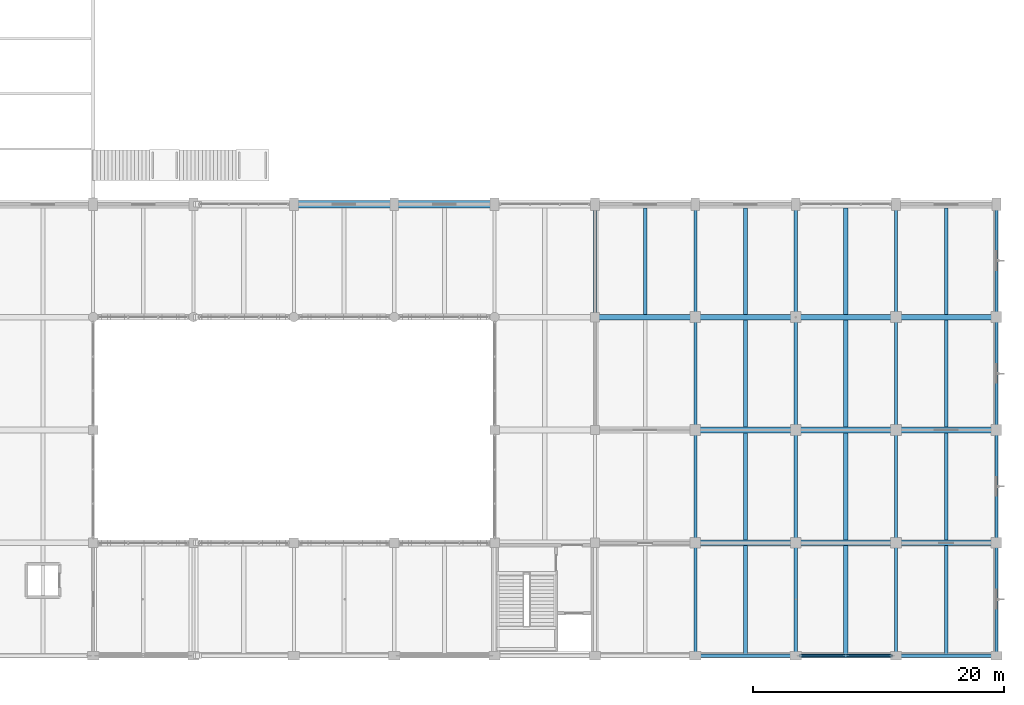
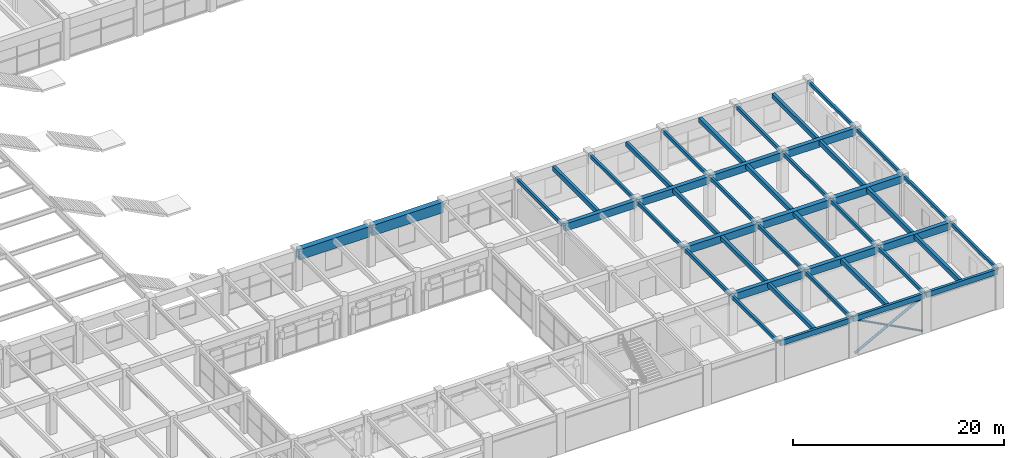
# One storey, part 82 of 144: 45 beams, 3 members.
"""IFC4 building model written with IfcOpenShell, lengths in metres."""

from ifc_helpers import new_model, si_unit, direction, frame, origin, origin_2d, place, context, subcontext, project, spatial, rectangle, hollow_circle, extrude, material, material_profile, profile_set, type_object, element, save


model = new_model("IFC4")

# Units and contexts
model_context = context("Model", 3, precision=1e-05, world=origin(), true_north=direction((0.0, 1.0)))
body_context = subcontext(model_context, "Body", "Model", "MODEL_VIEW")
ifc_project = project(units=[si_unit("LENGTHUNIT", "METRE"), si_unit("AREAUNIT", "SQUARE_METRE"), si_unit("VOLUMEUNIT", "CUBIC_METRE"), si_unit("PLANEANGLEUNIT", "RADIAN"), si_unit("MASSUNIT", "GRAM", prefix="KILO")], contexts=[model_context])

# Site, building, storey
site_placement = place(None, origin())
site = spatial("IfcSite", under=ifc_project, at=site_placement, CompositionType="ELEMENT")
building_placement = place(site_placement, origin())
building = spatial("IfcBuilding", under=site, at=building_placement, Name="Varnabhumi Central Station", CompositionType="ELEMENT")
storey_placement = place(building_placement, frame((0.0, 0.0, 4.800048828125)))
storey = spatial("IfcBuildingStorey", under=building, at=storey_placement, Name="L01", CompositionType="ELEMENT", Elevation=4.800048828125)

# Beams
ifc_material_1 = material(Name="Concrete M50", Category="concrete")
ifc_material_profile_1 = material_profile(ifc_material_1, rectangle(XDim=0.60009765625, YDim=1.199951171875, at=origin_2d()), Name="Concrete M50", Category="concrete")
ifc_profile_set_1 = profile_set([ifc_material_profile_1], Name="Concrete M50")
beam_type_1 = type_object("IfcBeamType", Name="BM-RC-1200x600", PredefinedType="BEAM", material=ifc_profile_set_1)
for number, where, z_axis, x_axis, name in (
    (1, (128.10009765625, 36.0, 3.949951171875), (1.0, 0.0, 0.0), (0.0, 1.0, 0.0), "Beam L01-E:17-18"),
    (2, (136.10009765625, 36.0, 3.949951171875), (1.0, 0.0, 0.0), (0.0, 1.0, 0.0), "Beam L01-E:18-19"),
):
    element("IfcBeam", number, at=place(storey_placement, frame(where, z_axis=z_axis, x_axis=x_axis)), inside=storey, type_object=beam_type_1, Name=name, PredefinedType="BEAM", context=body_context, shape_type="SweptSolid", body=[
        extrude(rectangle(XDim=0.60009765625, YDim=1.199951171875, at=origin_2d()), origin(), (0.0, 0.0, 1.0), 7.7998046875),
    ])
ifc_material_2 = material(Name="Concrete M35", Category="concrete")
ifc_material_profile_2 = material_profile(ifc_material_2, rectangle(XDim=0.25, YDim=0.39990234375, at=origin_2d()), Name="Concrete M35", Category="concrete")
ifc_profile_set_2 = profile_set([ifc_material_profile_2], Name="Concrete M35")
beam_type_2 = type_object("IfcBeamType", Name="BM-RC-250x400", PredefinedType="LINTEL", material=ifc_profile_set_2)
for number, where, z_axis, x_axis, name in (
    (3, (160.0, 0.10009765625, 4.349853515625), (0.0, 1.0, 0.0), (-1.0, 0.0, 0.0), "Beam L01-21:A-B"),
    (4, (168.0, 0.10009765625, 4.349853515625), (0.0, 1.0, 0.0), (-1.0, 0.0, 0.0), "Beam L01-22:A-B"),
    (5, (176.0, 0.10009765625, 4.349853515625), (0.0, 1.0, 0.0), (-1.0, 0.0, 0.0), "Beam L01-23:A-B"),
    (6, (184.0, 0.10009765625, 4.349853515625), (0.0, 1.0, 0.0), (-1.0, 0.0, 0.0), "Beam L01-24:A-B"),
    (7, (160.0, 9.10009765625, 4.349853515625), (0.0, 1.0, 0.0), (-1.0, 0.0, 0.0), "Beam L01-21:B-C"),
    (8, (168.0, 9.10009765625, 4.349853515625), (0.0, 1.0, 0.0), (-1.0, 0.0, 0.0), "Beam L01-22:B-C"),
    (9, (176.0, 9.10009765625, 4.349853515625), (0.0, 1.0, 0.0), (-1.0, 0.0, 0.0), "Beam L01-23:B-C"),
    (10, (184.0, 9.10009765625, 4.349853515625), (0.0, 1.0, 0.0), (-1.0, 0.0, 0.0), "Beam L01-24:B-C"),
    (11, (160.0, 18.10009765625, 4.349853515625), (0.0, 1.0, 0.0), (-1.0, 0.0, 0.0), "Beam L01-21:C-D"),
    (12, (168.0, 18.10009765625, 4.349853515625), (0.0, 1.0, 0.0), (-1.0, 0.0, 0.0), "Beam L01-22:C-D"),
    (13, (176.0, 18.10009765625, 4.349853515625), (0.0, 1.0, 0.0), (-1.0, 0.0, 0.0), "Beam L01-23:C-D"),
    (14, (184.0, 18.10009765625, 4.349853515625), (0.0, 1.0, 0.0), (-1.0, 0.0, 0.0), "Beam L01-24:C-D"),
    (15, (152.0, 27.10009765625, 4.349853515625), (0.0, 1.0, 0.0), (-1.0, 0.0, 0.0), "Beam L01-20:D-E"),
    (16, (160.0, 27.10009765625, 4.349853515625), (0.0, 1.0, 0.0), (-1.0, 0.0, 0.0), "Beam L01-21:D-E"),
    (17, (168.0, 27.10009765625, 4.349853515625), (0.0, 1.0, 0.0), (-1.0, 0.0, 0.0), "Beam L01-22:D-E"),
    (18, (176.0, 27.10009765625, 4.349853515625), (0.0, 1.0, 0.0), (-1.0, 0.0, 0.0), "Beam L01-23:D-E"),
    (19, (184.0, 27.10009765625, 4.349853515625), (0.0, 1.0, 0.0), (-1.0, 0.0, 0.0), "Beam L01-24:D-E"),
):
    element("IfcBeam", number, at=place(storey_placement, frame(where, z_axis=z_axis, x_axis=x_axis)), inside=storey, type_object=beam_type_2, Name=name, PredefinedType="LINTEL", context=body_context, shape_type="SweptSolid", body=[
        extrude(rectangle(XDim=0.25, YDim=0.39990234375, at=origin_2d()), origin(), (0.0, 0.0, 1.0), 8.7998046875),
    ])
ifc_material_3 = material(Name="Concrete M40", Category="concrete")
ifc_material_profile_3 = material_profile(ifc_material_3, rectangle(XDim=0.300048828125, YDim=0.5, at=origin_2d()), Name="Concrete M40", Category="concrete")
ifc_profile_set_3 = profile_set([ifc_material_profile_3], Name="Concrete M40")
beam_type_3 = type_object("IfcBeamType", Name="BM-RC-300x500", PredefinedType="JOIST", material=ifc_profile_set_3)
beam_1_placement = place(storey_placement, frame((164.0, 0.14990234375, 4.300048828125), z_axis=(0.0, 1.0, 0.0), x_axis=(-1.0, 0.0, 0.0)))
element("IfcBeam", 20, at=beam_1_placement, inside=storey, type_object=beam_type_3, Name="Secondary Joist L01-21/22:A-B", PredefinedType="JOIST", context=body_context, shape_type="SweptSolid", body=[
    extrude(rectangle(XDim=0.300048828125, YDim=0.5, at=origin_2d()), origin(), (0.0, 0.0, 1.0), 8.625),
])
for number, where, z_axis, x_axis, name in (
    (21, (164.0, 9.22509765625, 4.300048828125), (0.0, 1.0, 0.0), (-1.0, 0.0, 0.0), "Secondary Joist L01-21/22:B-C"),
    (22, (164.0, 18.25, 4.300048828125), (0.0, 1.0, 0.0), (-1.0, 0.0, 0.0), "Secondary Joist L01-21/22:C-D"),
):
    element("IfcBeam", number, at=place(storey_placement, frame(where, z_axis=z_axis, x_axis=x_axis)), inside=storey, type_object=beam_type_3, Name=name, PredefinedType="JOIST", context=body_context, shape_type="SweptSolid", body=[
        extrude(rectangle(XDim=0.300048828125, YDim=0.5, at=origin_2d()), origin(), (0.0, 0.0, 1.0), 8.52490234375),
    ])
beam_2_placement = place(storey_placement, frame((164.0, 27.22509765625, 4.300048828125), z_axis=(0.0, 1.0, 0.0), x_axis=(-1.0, 0.0, 0.0)))
element("IfcBeam", 23, at=beam_2_placement, inside=storey, type_object=beam_type_3, Name="Secondary Joist L01-21/22:D-E", PredefinedType="JOIST", context=body_context, shape_type="SweptSolid", body=[
    extrude(rectangle(XDim=0.300048828125, YDim=0.5, at=origin_2d()), origin(), (0.0, 0.0, 1.0), 8.474853515625),
])
ifc_material_profile_4 = material_profile(ifc_material_3, rectangle(XDim=0.300048828125, YDim=0.550048828125, at=origin_2d()), Name="Concrete M40", Category="concrete")
ifc_profile_set_4 = profile_set([ifc_material_profile_4], Name="Concrete M40")
beam_type_4 = type_object("IfcBeamType", Name="BM-RC-300x550", PredefinedType="JOIST", material=ifc_profile_set_4)
beam_3_placement = place(storey_placement, frame((180.0, 0.14990234375, 4.27490234375), z_axis=(0.0, 1.0, 0.0), x_axis=(-1.0, 0.0, 0.0)))
element("IfcBeam", 24, at=beam_3_placement, inside=storey, type_object=beam_type_4, Name="Secondary Joist L01-23/24:A-B", PredefinedType="JOIST", context=body_context, shape_type="SweptSolid", body=[
    extrude(rectangle(XDim=0.300048828125, YDim=0.550048828125, at=origin_2d()), origin(), (0.0, 0.0, 1.0), 8.625),
])
for number, where, z_axis, x_axis, name in (
    (25, (180.0, 9.22509765625, 4.27490234375), (0.0, 1.0, 0.0), (-1.0, 0.0, 0.0), "Secondary Joist L01-23/24:B-C"),
    (26, (180.0, 18.25, 4.27490234375), (0.0, 1.0, 0.0), (-1.0, 0.0, 0.0), "Secondary Joist L01-23/24:C-D"),
):
    element("IfcBeam", number, at=place(storey_placement, frame(where, z_axis=z_axis, x_axis=x_axis)), inside=storey, type_object=beam_type_4, Name=name, PredefinedType="JOIST", context=body_context, shape_type="SweptSolid", body=[
        extrude(rectangle(XDim=0.300048828125, YDim=0.550048828125, at=origin_2d()), origin(), (0.0, 0.0, 1.0), 8.52490234375),
    ])
for number, where, z_axis, x_axis, name in (
    (27, (156.0, 27.22509765625, 4.27490234375), (0.0, 1.0, 0.0), (-1.0, 0.0, 0.0), "Secondary Joist L01-20/21:D-E"),
    (28, (180.0, 27.22509765625, 4.27490234375), (0.0, 1.0, 0.0), (-1.0, 0.0, 0.0), "Secondary Joist L01-23/24:D-E"),
):
    element("IfcBeam", number, at=place(storey_placement, frame(where, z_axis=z_axis, x_axis=x_axis)), inside=storey, type_object=beam_type_4, Name=name, PredefinedType="JOIST", context=body_context, shape_type="SweptSolid", body=[
        extrude(rectangle(XDim=0.300048828125, YDim=0.550048828125, at=origin_2d()), origin(), (0.0, 0.0, 1.0), 8.474853515625),
    ])
ifc_material_profile_5 = material_profile(ifc_material_3, rectangle(XDim=0.300048828125, YDim=0.60009765625, at=origin_2d()), Name="Concrete M40", Category="concrete")
ifc_profile_set_5 = profile_set([ifc_material_profile_5], Name="Concrete M40")
beam_type_5 = type_object("IfcBeamType", Name="BM-RC-300x600", PredefinedType="SPANDREL", material=ifc_profile_set_5)
for number, where, z_axis, x_axis, name in (
    (29, (160.10009765625, 0.0, 4.25), (1.0, 0.0, 0.0), (0.0, 1.0, 0.0), "Beam L01-A:21-22"),
    (30, (168.10009765625, 0.0, 4.25), (1.0, 0.0, 0.0), (0.0, 1.0, 0.0), "Beam L01-A:22-23"),
    (31, (176.10009765625, 0.0, 4.25), (1.0, 0.0, 0.0), (0.0, 1.0, 0.0), "Beam L01-A:23-24"),
):
    element("IfcBeam", number, at=place(storey_placement, frame(where, z_axis=z_axis, x_axis=x_axis)), inside=storey, type_object=beam_type_5, Name=name, PredefinedType="SPANDREL", context=body_context, shape_type="SweptSolid", body=[
        extrude(rectangle(XDim=0.300048828125, YDim=0.60009765625, at=origin_2d()), origin(), (0.0, 0.0, 1.0), 7.7998046875),
    ])
ifc_material_profile_6 = material_profile(ifc_material_3, rectangle(XDim=0.35009765625, YDim=0.5, at=origin_2d()), Name="Concrete M40", Category="concrete")
ifc_profile_set_6 = profile_set([ifc_material_profile_6], Name="Concrete M40")
beam_type_6 = type_object("IfcBeamType", Name="BM-RC-350x500", PredefinedType="JOIST", material=ifc_profile_set_6)
beam_4_placement = place(storey_placement, frame((172.0, 0.14990234375, 4.300048828125), z_axis=(0.0, 1.0, 0.0), x_axis=(-1.0, 0.0, 0.0)))
element("IfcBeam", 32, at=beam_4_placement, inside=storey, type_object=beam_type_6, Name="Secondary Joist L01-22/23:A-B", PredefinedType="JOIST", context=body_context, shape_type="SweptSolid", body=[
    extrude(rectangle(XDim=0.35009765625, YDim=0.5, at=origin_2d()), origin(), (0.0, 0.0, 1.0), 8.625),
])
for number, where, z_axis, x_axis, name in (
    (33, (172.0, 9.22509765625, 4.300048828125), (0.0, 1.0, 0.0), (-1.0, 0.0, 0.0), "Secondary Joist L01-22/23:B-C"),
    (34, (172.0, 18.25, 4.300048828125), (0.0, 1.0, 0.0), (-1.0, 0.0, 0.0), "Secondary Joist L01-22/23:C-D"),
):
    element("IfcBeam", number, at=place(storey_placement, frame(where, z_axis=z_axis, x_axis=x_axis)), inside=storey, type_object=beam_type_6, Name=name, PredefinedType="JOIST", context=body_context, shape_type="SweptSolid", body=[
        extrude(rectangle(XDim=0.35009765625, YDim=0.5, at=origin_2d()), origin(), (0.0, 0.0, 1.0), 8.52490234375),
    ])
beam_5_placement = place(storey_placement, frame((172.0, 27.22509765625, 4.300048828125), z_axis=(0.0, 1.0, 0.0), x_axis=(-1.0, 0.0, 0.0)))
element("IfcBeam", 35, at=beam_5_placement, inside=storey, type_object=beam_type_6, Name="Secondary Joist L01-22/23:D-E", PredefinedType="JOIST", context=body_context, shape_type="SweptSolid", body=[
    extrude(rectangle(XDim=0.35009765625, YDim=0.5, at=origin_2d()), origin(), (0.0, 0.0, 1.0), 8.474853515625),
])
ifc_material_profile_7 = material_profile(ifc_material_3, rectangle(XDim=0.449951171875, YDim=0.85009765625, at=origin_2d()), Name="Concrete M40", Category="concrete")
ifc_profile_set_7 = profile_set([ifc_material_profile_7], Name="Concrete M40")
beam_type_7 = type_object("IfcBeamType", Name="BM-RC-450x850", PredefinedType="BEAM", material=ifc_profile_set_7)
for number, where, z_axis, x_axis, name in (
    (36, (152.10009765625, 27.0, 4.125), (1.0, 0.0, 0.0), (0.0, 1.0, 0.0), "Beam L01-D:20-21"),
    (37, (160.10009765625, 9.0, 4.125), (1.0, 0.0, 0.0), (0.0, 1.0, 0.0), "Beam L01-B:21-22"),
    (38, (160.10009765625, 27.0, 4.125), (1.0, 0.0, 0.0), (0.0, 1.0, 0.0), "Beam L01-D:21-22"),
    (39, (168.10009765625, 9.0, 4.125), (1.0, 0.0, 0.0), (0.0, 1.0, 0.0), "Beam L01-B:22-23"),
    (40, (168.10009765625, 27.0, 4.125), (1.0, 0.0, 0.0), (0.0, 1.0, 0.0), "Beam L01-D:22-23"),
    (41, (176.10009765625, 9.0, 4.125), (1.0, 0.0, 0.0), (0.0, 1.0, 0.0), "Beam L01-B:23-24"),
    (42, (176.10009765625, 27.0, 4.125), (1.0, 0.0, 0.0), (0.0, 1.0, 0.0), "Beam L01-D:23-24"),
):
    element("IfcBeam", number, at=place(storey_placement, frame(where, z_axis=z_axis, x_axis=x_axis)), inside=storey, type_object=beam_type_7, Name=name, PredefinedType="BEAM", context=body_context, shape_type="SweptSolid", body=[
        extrude(rectangle(XDim=0.449951171875, YDim=0.85009765625, at=origin_2d()), origin(), (0.0, 0.0, 1.0), 7.7998046875),
    ])
ifc_material_profile_8 = material_profile(ifc_material_3, rectangle(XDim=0.5, YDim=0.85009765625, at=origin_2d()), Name="Concrete M40", Category="concrete")
ifc_profile_set_8 = profile_set([ifc_material_profile_8], Name="Concrete M40")
beam_type_8 = type_object("IfcBeamType", Name="BM-RC-500x850", PredefinedType="BEAM", material=ifc_profile_set_8)
for number, where, z_axis, x_axis, name in (
    (43, (160.10009765625, 18.0, 4.125), (1.0, 0.0, 0.0), (0.0, 1.0, 0.0), "Beam L01-C:21-22"),
    (44, (168.10009765625, 18.0, 4.125), (1.0, 0.0, 0.0), (0.0, 1.0, 0.0), "Beam L01-C:22-23"),
    (45, (176.10009765625, 18.0, 4.125), (1.0, 0.0, 0.0), (0.0, 1.0, 0.0), "Beam L01-C:23-24"),
):
    element("IfcBeam", number, at=place(storey_placement, frame(where, z_axis=z_axis, x_axis=x_axis)), inside=storey, type_object=beam_type_8, Name=name, PredefinedType="BEAM", context=body_context, shape_type="SweptSolid", body=[
        extrude(rectangle(XDim=0.5, YDim=0.85009765625, at=origin_2d()), origin(), (0.0, 0.0, 1.0), 7.7998046875),
    ])

# Members
ifc_material_4 = material(Name="Structural steel E350", Category="steel")
ifc_material_profile_9 = material_profile(ifc_material_4, hollow_circle(Radius=0.109619140625, WallThickness=0.010009765625, at=origin_2d()), Name="Structural steel E350", Category="steel")
ifc_profile_set_9 = profile_set([ifc_material_profile_9], Name="Structural steel E350")
member_type_1 = type_object("IfcMemberType", Name="MBR-BRACE-CHS219", PredefinedType="BRACE", material=ifc_profile_set_9)
for number, where, z_axis, x_axis, name in (
    (46, (168.320068359375, 0.0, 4.099853515625), (0.883618805875, 0.0, -0.468207011806), (0.0, 1.0, 0.0), "Spine Lateral Split Brace L01-A:22-23B1"),
    (47, (172.141357421875, 0.0, 2.074951171875), (0.883618805875, 0.0, -0.468207011806), (0.0, 1.0, 0.0), "Spine Lateral Split Brace L01-A:22-23B2"),
):
    element("IfcMember", number, at=place(storey_placement, frame(where, z_axis=z_axis, x_axis=x_axis)), inside=storey, type_object=member_type_1, Name=name, PredefinedType="BRACE", context=body_context, shape_type="SweptSolid", body=[
        extrude(hollow_circle(Radius=0.109619140625, WallThickness=0.010009765625, at=origin_2d()), origin(), (0.0, 0.0, 1.0), 4.004638671875),
    ])
ifc_material_profile_10 = material_profile(ifc_material_4, hollow_circle(Radius=0.136474609375, WallThickness=0.011962890625, at=origin_2d()), Name="Structural steel E350", Category="steel")
ifc_profile_set_10 = profile_set([ifc_material_profile_10], Name="Structural steel E350")
member_type_2 = type_object("IfcMemberType", Name="MBR-BRACE-CHS273", PredefinedType="BRACE", material=ifc_profile_set_10)
member_placement = place(storey_placement, frame((168.320068359375, 0.0, 0.199951171875), z_axis=(0.88361388963, 0.0, 0.468216289821), x_axis=(0.0, 1.0, 0.0)))
element("IfcMember", 48, at=member_placement, inside=storey, type_object=member_type_2, Name="Spine Lateral Continuous Brace L01-A:22-23A", PredefinedType="BRACE", context=body_context, shape_type="SweptSolid", body=[
    extrude(hollow_circle(Radius=0.136474609375, WallThickness=0.011962890625, at=origin_2d()), origin(), (0.0, 0.0, 1.0), 8.329345703125),
])

save(model, "model.ifc")
